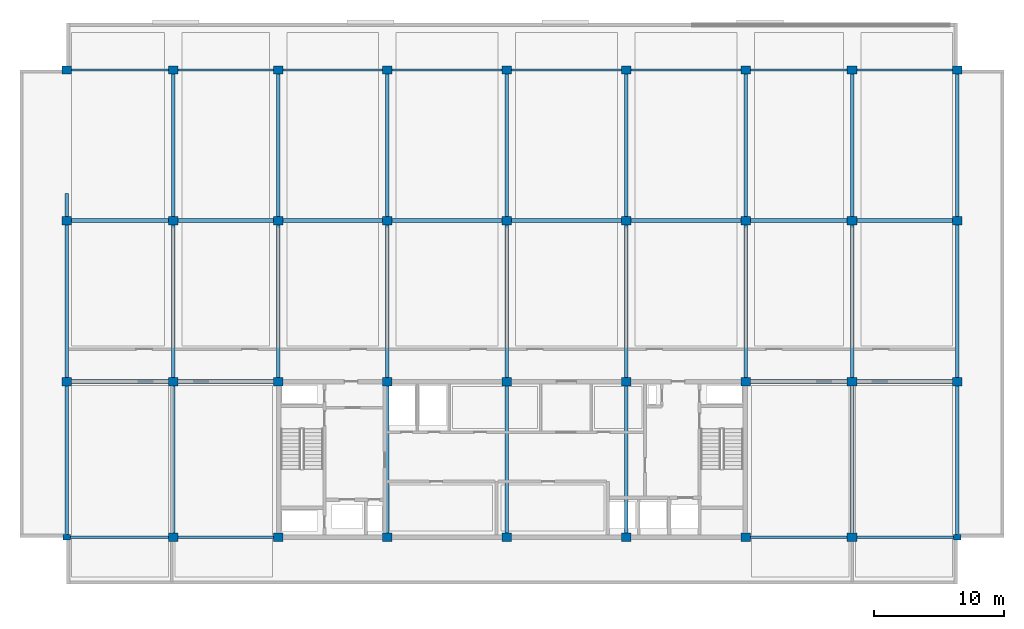
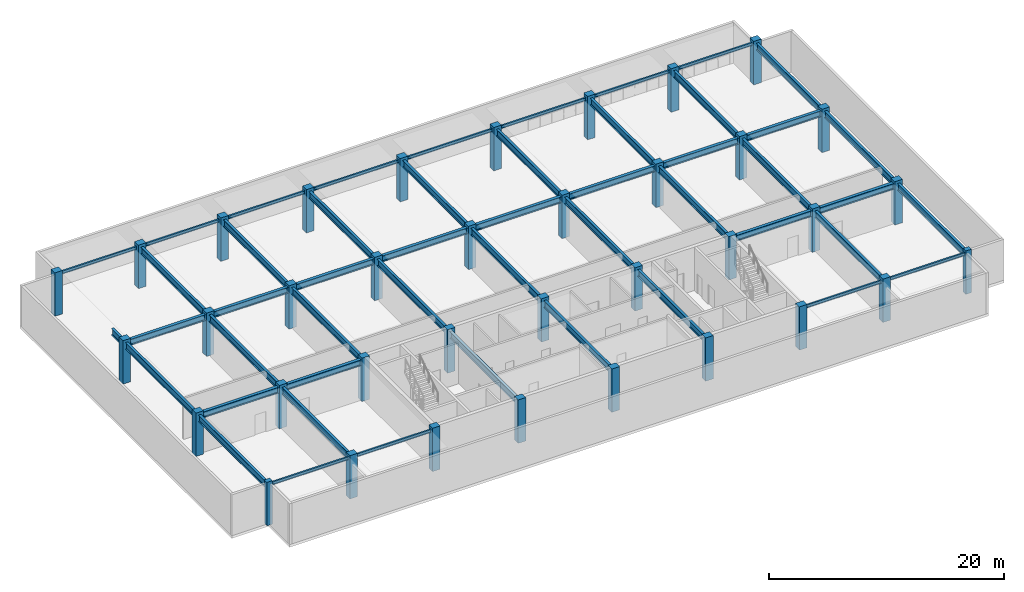
# One storey, part 1 of 9: 49 beams, 36 columns.
"""IFC4 building model written with IfcOpenShell, lengths in metres."""

from ifc_helpers import new_model, si_unit, direction, frame, origin, origin_2d, place, context, subcontext, project, spatial, rectangle, i_section, extrude, material, material_profile, profile_set, type_object, element, save


model = new_model("IFC4")

# Units and contexts
model_context = context("Model", 3, precision=1e-05, world=origin(), true_north=direction((0.0, 1.0)))
body_context = subcontext(model_context, "Body", "Model", "MODEL_VIEW")
ifc_project = project(units=[si_unit("LENGTHUNIT", "METRE"), si_unit("AREAUNIT", "SQUARE_METRE"), si_unit("VOLUMEUNIT", "CUBIC_METRE"), si_unit("PLANEANGLEUNIT", "RADIAN"), si_unit("MASSUNIT", "GRAM", prefix="KILO")], contexts=[model_context])

# Site, building, storey
site_placement = place(None, origin())
site = spatial("IfcSite", under=ifc_project, at=site_placement, CompositionType="ELEMENT")
building_placement = place(site_placement, origin())
building = spatial("IfcBuilding", under=site, at=building_placement, Name="Korimba Cascade Residences", CompositionType="ELEMENT")
storey_placement = place(building_placement, frame((0.0, 0.0, 259.699951171875)))
storey = spatial("IfcBuildingStorey", under=building, at=storey_placement, Name="L75", CompositionType="ELEMENT", Elevation=259.699951171875)

# Columns
ifc_material_1 = material(Name="Concrete C65/80", Category="concrete")
ifc_material_profile_1 = material_profile(ifc_material_1, rectangle(XDim=0.550048828125, YDim=0.449951171875, at=origin_2d()), Name="Concrete C65/80")
ifc_profile_set_1 = profile_set([ifc_material_profile_1], Name="Concrete C65/80")
column_type_1 = type_object("IfcColumnType", Name="COL-PIL-550", PredefinedType="PILASTER", material=ifc_profile_set_1)
for number, where, z_axis, x_axis, name in (
    (1, (59.800048828125, 55.199951171875, 0.0), (0.0, 0.0, 1.0), (1.0, 0.0, 0.0), "L75 Tower 1 Column 1.1"),
    (2, (128.39990234375, 55.199951171875, 0.0), (0.0, 0.0, 1.0), (1.0, 0.0, 0.0), "L75 Tower 1 Column 9.1"),
):
    element("IfcColumn", number, at=place(storey_placement, frame(where, z_axis=z_axis, x_axis=x_axis)), inside=storey, type_object=column_type_1, Name=name, PredefinedType="PILASTER", context=body_context, shape_type="SweptSolid", body=[
        extrude(rectangle(XDim=0.550048828125, YDim=0.449951171875, at=origin_2d()), origin(), (0.0, 0.0, 1.0), 4.5),
    ])
ifc_material_2 = material(Name="Concrete C50/60", Category="concrete")
ifc_material_profile_2 = material_profile(ifc_material_2, rectangle(XDim=0.75, YDim=0.64990234375, at=origin_2d()), Name="Concrete C50/60")
ifc_profile_set_2 = profile_set([ifc_material_profile_2], Name="Concrete C50/60")
column_type_2 = type_object("IfcColumnType", Name="COL-RC-750", PredefinedType="COLUMN", material=ifc_profile_set_2)
for number, where, z_axis, x_axis, name in (
    (3, (59.800048828125, 67.199951171875, 0.0), (0.0, 0.0, 1.0), (1.0, 0.0, 0.0), "L75 Tower 1 Column 1.2"),
    (4, (59.800048828125, 79.60009765625, 0.0), (0.0, 0.0, 1.0), (1.0, 0.0, 0.0), "L75 Tower 1 Column 1.3"),
    (5, (59.800048828125, 91.199951171875, 0.0), (0.0, 0.0, 1.0), (1.0, 0.0, 0.0), "L75 Tower 1 Column 1.4"),
    (6, (68.0, 55.199951171875, 0.0), (0.0, 0.0, 1.0), (1.0, 0.0, 0.0), "L75 Tower 1 Column 2.1"),
    (7, (68.0, 67.199951171875, 0.0), (0.0, 0.0, 1.0), (1.0, 0.0, 0.0), "L75 Tower 1 Column 2.2"),
    (8, (68.0, 79.60009765625, 0.0), (0.0, 0.0, 1.0), (1.0, 0.0, 0.0), "L75 Tower 1 Column 2.3"),
    (9, (68.0, 91.199951171875, 0.0), (0.0, 0.0, 1.0), (1.0, 0.0, 0.0), "L75 Tower 1 Column 2.4"),
    (10, (76.10009765625, 55.199951171875, 0.0), (0.0, 0.0, 1.0), (1.0, 0.0, 0.0), "L75 Tower 1 Column 3.1"),
    (11, (76.10009765625, 67.199951171875, 0.0), (0.0, 0.0, 1.0), (1.0, 0.0, 0.0), "L75 Tower 1 Column 3.2"),
    (12, (76.10009765625, 79.60009765625, 0.0), (0.0, 0.0, 1.0), (1.0, 0.0, 0.0), "L75 Tower 1 Column 3.3"),
    (13, (76.10009765625, 91.199951171875, 0.0), (0.0, 0.0, 1.0), (1.0, 0.0, 0.0), "L75 Tower 1 Column 3.4"),
    (14, (84.5, 55.199951171875, 0.0), (0.0, 0.0, 1.0), (1.0, 0.0, 0.0), "L75 Tower 1 Column 4.1"),
    (15, (84.5, 67.199951171875, 0.0), (0.0, 0.0, 1.0), (1.0, 0.0, 0.0), "L75 Tower 1 Column 4.2"),
    (16, (84.5, 79.60009765625, 0.0), (0.0, 0.0, 1.0), (1.0, 0.0, 0.0), "L75 Tower 1 Column 4.3"),
    (17, (84.5, 91.199951171875, 0.0), (0.0, 0.0, 1.0), (1.0, 0.0, 0.0), "L75 Tower 1 Column 4.4"),
    (18, (93.699951171875, 55.199951171875, 0.0), (0.0, 0.0, 1.0), (1.0, 0.0, 0.0), "L75 Tower 1 Column 5.1"),
    (19, (93.699951171875, 67.199951171875, 0.0), (0.0, 0.0, 1.0), (1.0, 0.0, 0.0), "L75 Tower 1 Column 5.2"),
    (20, (93.699951171875, 79.60009765625, 0.0), (0.0, 0.0, 1.0), (1.0, 0.0, 0.0), "L75 Tower 1 Column 5.3"),
    (21, (93.699951171875, 91.199951171875, 0.0), (0.0, 0.0, 1.0), (1.0, 0.0, 0.0), "L75 Tower 1 Column 5.4"),
    (22, (102.89990234375, 55.199951171875, 0.0), (0.0, 0.0, 1.0), (1.0, 0.0, 0.0), "L75 Tower 1 Column 6.1"),
    (23, (102.89990234375, 67.199951171875, 0.0), (0.0, 0.0, 1.0), (1.0, 0.0, 0.0), "L75 Tower 1 Column 6.2"),
    (24, (102.89990234375, 79.60009765625, 0.0), (0.0, 0.0, 1.0), (1.0, 0.0, 0.0), "L75 Tower 1 Column 6.3"),
    (25, (102.89990234375, 91.199951171875, 0.0), (0.0, 0.0, 1.0), (1.0, 0.0, 0.0), "L75 Tower 1 Column 6.4"),
    (26, (112.10009765625, 55.199951171875, 0.0), (0.0, 0.0, 1.0), (1.0, 0.0, 0.0), "L75 Tower 1 Column 7.1"),
    (27, (112.10009765625, 67.199951171875, 0.0), (0.0, 0.0, 1.0), (1.0, 0.0, 0.0), "L75 Tower 1 Column 7.2"),
    (28, (112.10009765625, 79.60009765625, 0.0), (0.0, 0.0, 1.0), (1.0, 0.0, 0.0), "L75 Tower 1 Column 7.3"),
    (29, (112.10009765625, 91.199951171875, 0.0), (0.0, 0.0, 1.0), (1.0, 0.0, 0.0), "L75 Tower 1 Column 7.4"),
    (30, (120.300048828125, 55.199951171875, 0.0), (0.0, 0.0, 1.0), (1.0, 0.0, 0.0), "L75 Tower 1 Column 8.1"),
    (31, (120.300048828125, 67.199951171875, 0.0), (0.0, 0.0, 1.0), (1.0, 0.0, 0.0), "L75 Tower 1 Column 8.2"),
    (32, (120.300048828125, 79.60009765625, 0.0), (0.0, 0.0, 1.0), (1.0, 0.0, 0.0), "L75 Tower 1 Column 8.3"),
    (33, (120.300048828125, 91.199951171875, 0.0), (0.0, 0.0, 1.0), (1.0, 0.0, 0.0), "L75 Tower 1 Column 8.4"),
    (34, (128.39990234375, 67.199951171875, 0.0), (0.0, 0.0, 1.0), (1.0, 0.0, 0.0), "L75 Tower 1 Column 9.2"),
    (35, (128.39990234375, 79.60009765625, 0.0), (0.0, 0.0, 1.0), (1.0, 0.0, 0.0), "L75 Tower 1 Column 9.3"),
    (36, (128.39990234375, 91.199951171875, 0.0), (0.0, 0.0, 1.0), (1.0, 0.0, 0.0), "L75 Tower 1 Column 9.4"),
):
    element("IfcColumn", number, at=place(storey_placement, frame(where, z_axis=z_axis, x_axis=x_axis)), inside=storey, type_object=column_type_2, Name=name, PredefinedType="COLUMN", context=body_context, shape_type="SweptSolid", body=[
        extrude(rectangle(XDim=0.75, YDim=0.64990234375, at=origin_2d()), origin(), (0.0, 0.0, 1.0), 4.5),
    ])

# Beams
ifc_material_3 = material(Name="Steel S355", Category="steel")
ifc_material_profile_3 = material_profile(ifc_material_3, i_section(OverallWidth=0.165771484375, OverallDepth=0.306640625, WebThickness=0.006591796875, FlangeThickness=0.01171875, FilletRadius=0.0087890625, at=origin_2d()), Name="Steel S355")
ifc_profile_set_3 = profile_set([ifc_material_profile_3], Name="Steel S355")
beam_type_1 = type_object("IfcBeamType", Name="BM-STL-UB305", PredefinedType="SPANDREL", material=ifc_profile_set_3)
beam_1_placement = place(storey_placement, frame((60.074951171875, 55.199951171875, 4.07666015625), z_axis=(1.0, 0.0, 0.0), x_axis=(0.0, 1.0, 0.0)))
element("IfcBeam", 37, at=beam_1_placement, inside=storey, type_object=beam_type_1, Name="L75 T1 E-W Girder Y1 Bay 1", PredefinedType="SPANDREL", context=body_context, shape_type="SweptSolid", body=[
    extrude(i_section(OverallWidth=0.165771484375, OverallDepth=0.306640625, WebThickness=0.006591796875, FlangeThickness=0.01171875, FilletRadius=0.0087890625, at=origin_2d()), origin(), (0.0, 0.0, 1.0), 7.550048828125),
])
beam_2_placement = place(storey_placement, frame((68.375, 55.199951171875, 4.07666015625), z_axis=(1.0, 0.0, 0.0), x_axis=(0.0, 1.0, 0.0)))
element("IfcBeam", 38, at=beam_2_placement, inside=storey, type_object=beam_type_1, Name="L75 T1 E-W Girder Y1 Bay 2", PredefinedType="SPANDREL", context=body_context, shape_type="SweptSolid", body=[
    extrude(i_section(OverallWidth=0.165771484375, OverallDepth=0.306640625, WebThickness=0.006591796875, FlangeThickness=0.01171875, FilletRadius=0.0087890625, at=origin_2d()), origin(), (0.0, 0.0, 1.0), 7.35009765625),
])
for number, where, z_axis, x_axis, name in (
    (39, (112.47509765625, 55.199951171875, 4.07666015625), (1.0, 0.0, 0.0), (0.0, 1.0, 0.0), "L75 T1 E-W Girder Y1 Bay 7"),
    (40, (120.675048828125, 55.199951171875, 4.07666015625), (1.0, 0.0, 0.0), (0.0, 1.0, 0.0), "L75 T1 E-W Girder Y1 Bay 8"),
    (41, (60.175048828125, 91.199951171875, 4.07666015625), (1.0, 0.0, 0.0), (0.0, 1.0, 0.0), "L75 T1 E-W Girder Y4 Bay 1"),
):
    element("IfcBeam", number, at=place(storey_placement, frame(where, z_axis=z_axis, x_axis=x_axis)), inside=storey, type_object=beam_type_1, Name=name, PredefinedType="SPANDREL", context=body_context, shape_type="SweptSolid", body=[
        extrude(i_section(OverallWidth=0.165771484375, OverallDepth=0.306640625, WebThickness=0.006591796875, FlangeThickness=0.01171875, FilletRadius=0.0087890625, at=origin_2d()), origin(), (0.0, 0.0, 1.0), 7.449951171875),
    ])
beam_3_placement = place(storey_placement, frame((68.375, 91.199951171875, 4.07666015625), z_axis=(1.0, 0.0, 0.0), x_axis=(0.0, 1.0, 0.0)))
element("IfcBeam", 42, at=beam_3_placement, inside=storey, type_object=beam_type_1, Name="L75 T1 E-W Girder Y4 Bay 2", PredefinedType="SPANDREL", context=body_context, shape_type="SweptSolid", body=[
    extrude(i_section(OverallWidth=0.165771484375, OverallDepth=0.306640625, WebThickness=0.006591796875, FlangeThickness=0.01171875, FilletRadius=0.0087890625, at=origin_2d()), origin(), (0.0, 0.0, 1.0), 7.35009765625),
])
beam_4_placement = place(storey_placement, frame((76.47509765625, 91.199951171875, 4.07666015625), z_axis=(1.0, 0.0, 0.0), x_axis=(0.0, 1.0, 0.0)))
element("IfcBeam", 43, at=beam_4_placement, inside=storey, type_object=beam_type_1, Name="L75 T1 E-W Girder Y4 Bay 3", PredefinedType="SPANDREL", context=body_context, shape_type="SweptSolid", body=[
    extrude(i_section(OverallWidth=0.165771484375, OverallDepth=0.306640625, WebThickness=0.006591796875, FlangeThickness=0.01171875, FilletRadius=0.0087890625, at=origin_2d()), origin(), (0.0, 0.0, 1.0), 7.64990234375),
])
for number, where, z_axis, x_axis, name in (
    (44, (84.875, 91.199951171875, 4.07666015625), (1.0, 0.0, 0.0), (0.0, 1.0, 0.0), "L75 T1 E-W Girder Y4 Bay 4"),
    (45, (94.074951171875, 91.199951171875, 4.07666015625), (1.0, 0.0, 0.0), (0.0, 1.0, 0.0), "L75 T1 E-W Girder Y4 Bay 5"),
):
    element("IfcBeam", number, at=place(storey_placement, frame(where, z_axis=z_axis, x_axis=x_axis)), inside=storey, type_object=beam_type_1, Name=name, PredefinedType="SPANDREL", context=body_context, shape_type="SweptSolid", body=[
        extrude(i_section(OverallWidth=0.165771484375, OverallDepth=0.306640625, WebThickness=0.006591796875, FlangeThickness=0.01171875, FilletRadius=0.0087890625, at=origin_2d()), origin(), (0.0, 0.0, 1.0), 8.449951171875),
    ])
beam_5_placement = place(storey_placement, frame((103.27490234375, 91.199951171875, 4.07666015625), z_axis=(1.0, 0.0, 0.0), x_axis=(0.0, 1.0, 0.0)))
element("IfcBeam", 46, at=beam_5_placement, inside=storey, type_object=beam_type_1, Name="L75 T1 E-W Girder Y4 Bay 6", PredefinedType="SPANDREL", context=body_context, shape_type="SweptSolid", body=[
    extrude(i_section(OverallWidth=0.165771484375, OverallDepth=0.306640625, WebThickness=0.006591796875, FlangeThickness=0.01171875, FilletRadius=0.0087890625, at=origin_2d()), origin(), (0.0, 0.0, 1.0), 8.4501953125),
])
beam_6_placement = place(storey_placement, frame((112.47509765625, 91.199951171875, 4.07666015625), z_axis=(1.0, 0.0, 0.0), x_axis=(0.0, 1.0, 0.0)))
element("IfcBeam", 47, at=beam_6_placement, inside=storey, type_object=beam_type_1, Name="L75 T1 E-W Girder Y4 Bay 7", PredefinedType="SPANDREL", context=body_context, shape_type="SweptSolid", body=[
    extrude(i_section(OverallWidth=0.165771484375, OverallDepth=0.306640625, WebThickness=0.006591796875, FlangeThickness=0.01171875, FilletRadius=0.0087890625, at=origin_2d()), origin(), (0.0, 0.0, 1.0), 7.449951171875),
])
beam_7_placement = place(storey_placement, frame((120.675048828125, 91.199951171875, 4.07666015625), z_axis=(1.0, 0.0, 0.0), x_axis=(0.0, 1.0, 0.0)))
element("IfcBeam", 48, at=beam_7_placement, inside=storey, type_object=beam_type_1, Name="L75 T1 E-W Girder Y4 Bay 8", PredefinedType="SPANDREL", context=body_context, shape_type="SweptSolid", body=[
    extrude(i_section(OverallWidth=0.165771484375, OverallDepth=0.306640625, WebThickness=0.006591796875, FlangeThickness=0.01171875, FilletRadius=0.0087890625, at=origin_2d()), origin(), (0.0, 0.0, 1.0), 7.349853515625),
])
ifc_material_profile_4 = material_profile(ifc_material_3, i_section(OverallWidth=0.30712890625, OverallDepth=0.6201171875, WebThickness=0.01416015625, FlangeThickness=0.023681640625, FilletRadius=0.0166015625, at=origin_2d()), Name="Steel S355")
ifc_profile_set_4 = profile_set([ifc_material_profile_4], Name="Steel S355")
beam_type_2 = type_object("IfcBeamType", Name="BM-STL-UB610A", PredefinedType="BEAM", material=ifc_profile_set_4)
beam_8_placement = place(storey_placement, frame((60.175048828125, 67.199951171875, 3.919921875), z_axis=(1.0, 0.0, 0.0), x_axis=(0.0, 1.0, 0.0)))
element("IfcBeam", 49, at=beam_8_placement, inside=storey, type_object=beam_type_2, Name="L75 T1 E-W Girder Y2 Bay 1", PredefinedType="BEAM", context=body_context, shape_type="SweptSolid", body=[
    extrude(i_section(OverallWidth=0.30712890625, OverallDepth=0.6201171875, WebThickness=0.01416015625, FlangeThickness=0.023681640625, FilletRadius=0.0166015625, at=origin_2d()), origin(), (0.0, 0.0, 1.0), 7.449951171875),
])
beam_9_placement = place(storey_placement, frame((68.375, 67.199951171875, 3.919921875), z_axis=(1.0, 0.0, 0.0), x_axis=(0.0, 1.0, 0.0)))
element("IfcBeam", 50, at=beam_9_placement, inside=storey, type_object=beam_type_2, Name="L75 T1 E-W Girder Y2 Bay 2", PredefinedType="BEAM", context=body_context, shape_type="SweptSolid", body=[
    extrude(i_section(OverallWidth=0.30712890625, OverallDepth=0.6201171875, WebThickness=0.01416015625, FlangeThickness=0.023681640625, FilletRadius=0.0166015625, at=origin_2d()), origin(), (0.0, 0.0, 1.0), 7.35009765625),
])
beam_10_placement = place(storey_placement, frame((112.47509765625, 67.199951171875, 3.919921875), z_axis=(1.0, 0.0, 0.0), x_axis=(0.0, 1.0, 0.0)))
element("IfcBeam", 51, at=beam_10_placement, inside=storey, type_object=beam_type_2, Name="L75 T1 E-W Girder Y2 Bay 7", PredefinedType="BEAM", context=body_context, shape_type="SweptSolid", body=[
    extrude(i_section(OverallWidth=0.30712890625, OverallDepth=0.6201171875, WebThickness=0.01416015625, FlangeThickness=0.023681640625, FilletRadius=0.0166015625, at=origin_2d()), origin(), (0.0, 0.0, 1.0), 7.449951171875),
])
beam_11_placement = place(storey_placement, frame((120.675048828125, 67.199951171875, 3.919921875), z_axis=(1.0, 0.0, 0.0), x_axis=(0.0, 1.0, 0.0)))
element("IfcBeam", 52, at=beam_11_placement, inside=storey, type_object=beam_type_2, Name="L75 T1 E-W Girder Y2 Bay 8", PredefinedType="BEAM", context=body_context, shape_type="SweptSolid", body=[
    extrude(i_section(OverallWidth=0.30712890625, OverallDepth=0.6201171875, WebThickness=0.01416015625, FlangeThickness=0.023681640625, FilletRadius=0.0166015625, at=origin_2d()), origin(), (0.0, 0.0, 1.0), 7.349853515625),
])
beam_12_placement = place(storey_placement, frame((60.175048828125, 79.60009765625, 3.919921875), z_axis=(1.0, 0.0, 0.0), x_axis=(0.0, 1.0, 0.0)))
element("IfcBeam", 53, at=beam_12_placement, inside=storey, type_object=beam_type_2, Name="L75 T1 E-W Girder Y3 Bay 1", PredefinedType="BEAM", context=body_context, shape_type="SweptSolid", body=[
    extrude(i_section(OverallWidth=0.30712890625, OverallDepth=0.6201171875, WebThickness=0.01416015625, FlangeThickness=0.023681640625, FilletRadius=0.0166015625, at=origin_2d()), origin(), (0.0, 0.0, 1.0), 7.449951171875),
])
beam_13_placement = place(storey_placement, frame((68.375, 79.60009765625, 3.919921875), z_axis=(1.0, 0.0, 0.0), x_axis=(0.0, 1.0, 0.0)))
element("IfcBeam", 54, at=beam_13_placement, inside=storey, type_object=beam_type_2, Name="L75 T1 E-W Girder Y3 Bay 2", PredefinedType="BEAM", context=body_context, shape_type="SweptSolid", body=[
    extrude(i_section(OverallWidth=0.30712890625, OverallDepth=0.6201171875, WebThickness=0.01416015625, FlangeThickness=0.023681640625, FilletRadius=0.0166015625, at=origin_2d()), origin(), (0.0, 0.0, 1.0), 7.35009765625),
])
beam_14_placement = place(storey_placement, frame((76.47509765625, 79.60009765625, 3.919921875), z_axis=(1.0, 0.0, 0.0), x_axis=(0.0, 1.0, 0.0)))
element("IfcBeam", 55, at=beam_14_placement, inside=storey, type_object=beam_type_2, Name="L75 T1 E-W Girder Y3 Bay 3", PredefinedType="BEAM", context=body_context, shape_type="SweptSolid", body=[
    extrude(i_section(OverallWidth=0.30712890625, OverallDepth=0.6201171875, WebThickness=0.01416015625, FlangeThickness=0.023681640625, FilletRadius=0.0166015625, at=origin_2d()), origin(), (0.0, 0.0, 1.0), 7.64990234375),
])
for number, where, z_axis, x_axis, name in (
    (56, (84.875, 79.60009765625, 3.919921875), (1.0, 0.0, 0.0), (0.0, 1.0, 0.0), "L75 T1 E-W Girder Y3 Bay 4"),
    (57, (94.074951171875, 79.60009765625, 3.919921875), (1.0, 0.0, 0.0), (0.0, 1.0, 0.0), "L75 T1 E-W Girder Y3 Bay 5"),
):
    element("IfcBeam", number, at=place(storey_placement, frame(where, z_axis=z_axis, x_axis=x_axis)), inside=storey, type_object=beam_type_2, Name=name, PredefinedType="BEAM", context=body_context, shape_type="SweptSolid", body=[
        extrude(i_section(OverallWidth=0.30712890625, OverallDepth=0.6201171875, WebThickness=0.01416015625, FlangeThickness=0.023681640625, FilletRadius=0.0166015625, at=origin_2d()), origin(), (0.0, 0.0, 1.0), 8.449951171875),
    ])
beam_15_placement = place(storey_placement, frame((103.27490234375, 79.60009765625, 3.919921875), z_axis=(1.0, 0.0, 0.0), x_axis=(0.0, 1.0, 0.0)))
element("IfcBeam", 58, at=beam_15_placement, inside=storey, type_object=beam_type_2, Name="L75 T1 E-W Girder Y3 Bay 6", PredefinedType="BEAM", context=body_context, shape_type="SweptSolid", body=[
    extrude(i_section(OverallWidth=0.30712890625, OverallDepth=0.6201171875, WebThickness=0.01416015625, FlangeThickness=0.023681640625, FilletRadius=0.0166015625, at=origin_2d()), origin(), (0.0, 0.0, 1.0), 8.4501953125),
])
beam_16_placement = place(storey_placement, frame((112.47509765625, 79.60009765625, 3.919921875), z_axis=(1.0, 0.0, 0.0), x_axis=(0.0, 1.0, 0.0)))
element("IfcBeam", 59, at=beam_16_placement, inside=storey, type_object=beam_type_2, Name="L75 T1 E-W Girder Y3 Bay 7", PredefinedType="BEAM", context=body_context, shape_type="SweptSolid", body=[
    extrude(i_section(OverallWidth=0.30712890625, OverallDepth=0.6201171875, WebThickness=0.01416015625, FlangeThickness=0.023681640625, FilletRadius=0.0166015625, at=origin_2d()), origin(), (0.0, 0.0, 1.0), 7.449951171875),
])
beam_17_placement = place(storey_placement, frame((120.675048828125, 79.60009765625, 3.919921875), z_axis=(1.0, 0.0, 0.0), x_axis=(0.0, 1.0, 0.0)))
element("IfcBeam", 60, at=beam_17_placement, inside=storey, type_object=beam_type_2, Name="L75 T1 E-W Girder Y3 Bay 8", PredefinedType="BEAM", context=body_context, shape_type="SweptSolid", body=[
    extrude(i_section(OverallWidth=0.30712890625, OverallDepth=0.6201171875, WebThickness=0.01416015625, FlangeThickness=0.023681640625, FilletRadius=0.0166015625, at=origin_2d()), origin(), (0.0, 0.0, 1.0), 7.349853515625),
])
ifc_material_profile_5 = material_profile(ifc_material_3, i_section(OverallWidth=0.255859375, OverallDepth=0.69287109375, WebThickness=0.014404296875, FlangeThickness=0.023681640625, FilletRadius=0.01513671875, at=origin_2d()), Name="Steel S355")
ifc_profile_set_5 = profile_set([ifc_material_profile_5], Name="Steel S355")
beam_type_3 = type_object("IfcBeamType", Name="BM-STL-UB686", PredefinedType="BEAM", material=ifc_profile_set_5)
beam_18_placement = place(storey_placement, frame((59.800048828125, 55.425048828125, 3.883544921875), z_axis=(0.0, 1.0, 0.0), x_axis=(-1.0, 0.0, 0.0)))
element("IfcBeam", 61, at=beam_18_placement, inside=storey, type_object=beam_type_3, Name="L75 T1 N-S Girder X1 Seg 1", PredefinedType="BEAM", context=body_context, shape_type="SweptSolid", body=[
    extrude(i_section(OverallWidth=0.255859375, OverallDepth=0.69287109375, WebThickness=0.014404296875, FlangeThickness=0.023681640625, FilletRadius=0.01513671875, at=origin_2d()), origin(), (0.0, 0.0, 1.0), 11.449951171875),
])
beam_19_placement = place(storey_placement, frame((59.800048828125, 67.52490234375, 3.883544921875), z_axis=(0.0, 1.0, 0.0), x_axis=(-1.0, 0.0, 0.0)))
element("IfcBeam", 62, at=beam_19_placement, inside=storey, type_object=beam_type_3, Name="L75 T1 N-S Girder X1 Seg 2", PredefinedType="BEAM", context=body_context, shape_type="SweptSolid", body=[
    extrude(i_section(OverallWidth=0.255859375, OverallDepth=0.69287109375, WebThickness=0.014404296875, FlangeThickness=0.023681640625, FilletRadius=0.01513671875, at=origin_2d()), origin(), (0.0, 0.0, 1.0), 11.75),
])
beam_20_placement = place(storey_placement, frame((59.800048828125, 79.925048828125, 3.883544921875), z_axis=(0.0, 1.0, 0.0), x_axis=(-1.0, 0.0, 0.0)))
element("IfcBeam", 63, at=beam_20_placement, inside=storey, type_object=beam_type_3, Name="L75 T1 N-S Girder X1 Seg 3", PredefinedType="BEAM", context=body_context, shape_type="SweptSolid", body=[
    extrude(i_section(OverallWidth=0.255859375, OverallDepth=0.69287109375, WebThickness=0.014404296875, FlangeThickness=0.023681640625, FilletRadius=0.01513671875, at=origin_2d()), origin(), (0.0, 0.0, 1.0), 1.77490234375),
])
beam_21_placement = place(storey_placement, frame((68.0, 55.52490234375, 3.883544921875), z_axis=(0.0, 1.0, 0.0), x_axis=(-1.0, 0.0, 0.0)))
element("IfcBeam", 64, at=beam_21_placement, inside=storey, type_object=beam_type_3, Name="L75 T1 N-S Girder X2 Seg 1", PredefinedType="BEAM", context=body_context, shape_type="SweptSolid", body=[
    extrude(i_section(OverallWidth=0.255859375, OverallDepth=0.69287109375, WebThickness=0.014404296875, FlangeThickness=0.023681640625, FilletRadius=0.01513671875, at=origin_2d()), origin(), (0.0, 0.0, 1.0), 11.35009765625),
])
beam_22_placement = place(storey_placement, frame((68.0, 67.52490234375, 3.883544921875), z_axis=(0.0, 1.0, 0.0), x_axis=(-1.0, 0.0, 0.0)))
element("IfcBeam", 65, at=beam_22_placement, inside=storey, type_object=beam_type_3, Name="L75 T1 N-S Girder X2 Seg 2", PredefinedType="BEAM", context=body_context, shape_type="SweptSolid", body=[
    extrude(i_section(OverallWidth=0.255859375, OverallDepth=0.69287109375, WebThickness=0.014404296875, FlangeThickness=0.023681640625, FilletRadius=0.01513671875, at=origin_2d()), origin(), (0.0, 0.0, 1.0), 11.75),
])
beam_23_placement = place(storey_placement, frame((68.0, 79.925048828125, 3.883544921875), z_axis=(0.0, 1.0, 0.0), x_axis=(-1.0, 0.0, 0.0)))
element("IfcBeam", 66, at=beam_23_placement, inside=storey, type_object=beam_type_3, Name="L75 T1 N-S Girder X2 Seg 3", PredefinedType="BEAM", context=body_context, shape_type="SweptSolid", body=[
    extrude(i_section(OverallWidth=0.255859375, OverallDepth=0.69287109375, WebThickness=0.014404296875, FlangeThickness=0.023681640625, FilletRadius=0.01513671875, at=origin_2d()), origin(), (0.0, 0.0, 1.0), 10.949951171875),
])
beam_24_placement = place(storey_placement, frame((76.10009765625, 67.52490234375, 3.883544921875), z_axis=(0.0, 1.0, 0.0), x_axis=(-1.0, 0.0, 0.0)))
element("IfcBeam", 67, at=beam_24_placement, inside=storey, type_object=beam_type_3, Name="L75 T1 N-S Girder X3 Seg 2", PredefinedType="BEAM", context=body_context, shape_type="SweptSolid", body=[
    extrude(i_section(OverallWidth=0.255859375, OverallDepth=0.69287109375, WebThickness=0.014404296875, FlangeThickness=0.023681640625, FilletRadius=0.01513671875, at=origin_2d()), origin(), (0.0, 0.0, 1.0), 11.75),
])
beam_25_placement = place(storey_placement, frame((76.10009765625, 79.925048828125, 3.883544921875), z_axis=(0.0, 1.0, 0.0), x_axis=(-1.0, 0.0, 0.0)))
element("IfcBeam", 68, at=beam_25_placement, inside=storey, type_object=beam_type_3, Name="L75 T1 N-S Girder X3 Seg 3", PredefinedType="BEAM", context=body_context, shape_type="SweptSolid", body=[
    extrude(i_section(OverallWidth=0.255859375, OverallDepth=0.69287109375, WebThickness=0.014404296875, FlangeThickness=0.023681640625, FilletRadius=0.01513671875, at=origin_2d()), origin(), (0.0, 0.0, 1.0), 10.949951171875),
])
beam_26_placement = place(storey_placement, frame((84.5, 55.52490234375, 3.883544921875), z_axis=(0.0, 1.0, 0.0), x_axis=(-1.0, 0.0, 0.0)))
element("IfcBeam", 69, at=beam_26_placement, inside=storey, type_object=beam_type_3, Name="L75 T1 N-S Girder X4 Seg 1", PredefinedType="BEAM", context=body_context, shape_type="SweptSolid", body=[
    extrude(i_section(OverallWidth=0.255859375, OverallDepth=0.69287109375, WebThickness=0.014404296875, FlangeThickness=0.023681640625, FilletRadius=0.01513671875, at=origin_2d()), origin(), (0.0, 0.0, 1.0), 11.35009765625),
])
beam_27_placement = place(storey_placement, frame((84.5, 67.52490234375, 3.883544921875), z_axis=(0.0, 1.0, 0.0), x_axis=(-1.0, 0.0, 0.0)))
element("IfcBeam", 70, at=beam_27_placement, inside=storey, type_object=beam_type_3, Name="L75 T1 N-S Girder X4 Seg 2", PredefinedType="BEAM", context=body_context, shape_type="SweptSolid", body=[
    extrude(i_section(OverallWidth=0.255859375, OverallDepth=0.69287109375, WebThickness=0.014404296875, FlangeThickness=0.023681640625, FilletRadius=0.01513671875, at=origin_2d()), origin(), (0.0, 0.0, 1.0), 11.75),
])
beam_28_placement = place(storey_placement, frame((84.5, 79.925048828125, 3.883544921875), z_axis=(0.0, 1.0, 0.0), x_axis=(-1.0, 0.0, 0.0)))
element("IfcBeam", 71, at=beam_28_placement, inside=storey, type_object=beam_type_3, Name="L75 T1 N-S Girder X4 Seg 3", PredefinedType="BEAM", context=body_context, shape_type="SweptSolid", body=[
    extrude(i_section(OverallWidth=0.255859375, OverallDepth=0.69287109375, WebThickness=0.014404296875, FlangeThickness=0.023681640625, FilletRadius=0.01513671875, at=origin_2d()), origin(), (0.0, 0.0, 1.0), 10.949951171875),
])
beam_29_placement = place(storey_placement, frame((93.699951171875, 55.52490234375, 3.883544921875), z_axis=(0.0, 1.0, 0.0), x_axis=(-1.0, 0.0, 0.0)))
element("IfcBeam", 72, at=beam_29_placement, inside=storey, type_object=beam_type_3, Name="L75 T1 N-S Girder X5 Seg 1", PredefinedType="BEAM", context=body_context, shape_type="SweptSolid", body=[
    extrude(i_section(OverallWidth=0.255859375, OverallDepth=0.69287109375, WebThickness=0.014404296875, FlangeThickness=0.023681640625, FilletRadius=0.01513671875, at=origin_2d()), origin(), (0.0, 0.0, 1.0), 11.35009765625),
])
beam_30_placement = place(storey_placement, frame((93.699951171875, 67.52490234375, 3.883544921875), z_axis=(0.0, 1.0, 0.0), x_axis=(-1.0, 0.0, 0.0)))
element("IfcBeam", 73, at=beam_30_placement, inside=storey, type_object=beam_type_3, Name="L75 T1 N-S Girder X5 Seg 2", PredefinedType="BEAM", context=body_context, shape_type="SweptSolid", body=[
    extrude(i_section(OverallWidth=0.255859375, OverallDepth=0.69287109375, WebThickness=0.014404296875, FlangeThickness=0.023681640625, FilletRadius=0.01513671875, at=origin_2d()), origin(), (0.0, 0.0, 1.0), 11.75),
])
beam_31_placement = place(storey_placement, frame((93.699951171875, 79.925048828125, 3.883544921875), z_axis=(0.0, 1.0, 0.0), x_axis=(-1.0, 0.0, 0.0)))
element("IfcBeam", 74, at=beam_31_placement, inside=storey, type_object=beam_type_3, Name="L75 T1 N-S Girder X5 Seg 3", PredefinedType="BEAM", context=body_context, shape_type="SweptSolid", body=[
    extrude(i_section(OverallWidth=0.255859375, OverallDepth=0.69287109375, WebThickness=0.014404296875, FlangeThickness=0.023681640625, FilletRadius=0.01513671875, at=origin_2d()), origin(), (0.0, 0.0, 1.0), 10.949951171875),
])
beam_32_placement = place(storey_placement, frame((102.89990234375, 55.52490234375, 3.883544921875), z_axis=(0.0, 1.0, 0.0), x_axis=(-1.0, 0.0, 0.0)))
element("IfcBeam", 75, at=beam_32_placement, inside=storey, type_object=beam_type_3, Name="L75 T1 N-S Girder X6 Seg 1", PredefinedType="BEAM", context=body_context, shape_type="SweptSolid", body=[
    extrude(i_section(OverallWidth=0.255859375, OverallDepth=0.69287109375, WebThickness=0.014404296875, FlangeThickness=0.023681640625, FilletRadius=0.01513671875, at=origin_2d()), origin(), (0.0, 0.0, 1.0), 11.35009765625),
])
beam_33_placement = place(storey_placement, frame((102.89990234375, 67.52490234375, 3.883544921875), z_axis=(0.0, 1.0, 0.0), x_axis=(-1.0, 0.0, 0.0)))
element("IfcBeam", 76, at=beam_33_placement, inside=storey, type_object=beam_type_3, Name="L75 T1 N-S Girder X6 Seg 2", PredefinedType="BEAM", context=body_context, shape_type="SweptSolid", body=[
    extrude(i_section(OverallWidth=0.255859375, OverallDepth=0.69287109375, WebThickness=0.014404296875, FlangeThickness=0.023681640625, FilletRadius=0.01513671875, at=origin_2d()), origin(), (0.0, 0.0, 1.0), 11.75),
])
beam_34_placement = place(storey_placement, frame((102.89990234375, 79.925048828125, 3.883544921875), z_axis=(0.0, 1.0, 0.0), x_axis=(-1.0, 0.0, 0.0)))
element("IfcBeam", 77, at=beam_34_placement, inside=storey, type_object=beam_type_3, Name="L75 T1 N-S Girder X6 Seg 3", PredefinedType="BEAM", context=body_context, shape_type="SweptSolid", body=[
    extrude(i_section(OverallWidth=0.255859375, OverallDepth=0.69287109375, WebThickness=0.014404296875, FlangeThickness=0.023681640625, FilletRadius=0.01513671875, at=origin_2d()), origin(), (0.0, 0.0, 1.0), 10.949951171875),
])
beam_35_placement = place(storey_placement, frame((112.10009765625, 67.52490234375, 3.883544921875), z_axis=(0.0, 1.0, 0.0), x_axis=(-1.0, 0.0, 0.0)))
element("IfcBeam", 78, at=beam_35_placement, inside=storey, type_object=beam_type_3, Name="L75 T1 N-S Girder X7 Seg 2", PredefinedType="BEAM", context=body_context, shape_type="SweptSolid", body=[
    extrude(i_section(OverallWidth=0.255859375, OverallDepth=0.69287109375, WebThickness=0.014404296875, FlangeThickness=0.023681640625, FilletRadius=0.01513671875, at=origin_2d()), origin(), (0.0, 0.0, 1.0), 11.75),
])
beam_36_placement = place(storey_placement, frame((112.10009765625, 79.925048828125, 3.883544921875), z_axis=(0.0, 1.0, 0.0), x_axis=(-1.0, 0.0, 0.0)))
element("IfcBeam", 79, at=beam_36_placement, inside=storey, type_object=beam_type_3, Name="L75 T1 N-S Girder X7 Seg 3", PredefinedType="BEAM", context=body_context, shape_type="SweptSolid", body=[
    extrude(i_section(OverallWidth=0.255859375, OverallDepth=0.69287109375, WebThickness=0.014404296875, FlangeThickness=0.023681640625, FilletRadius=0.01513671875, at=origin_2d()), origin(), (0.0, 0.0, 1.0), 10.949951171875),
])
beam_37_placement = place(storey_placement, frame((120.300048828125, 55.52490234375, 3.883544921875), z_axis=(0.0, 1.0, 0.0), x_axis=(-1.0, 0.0, 0.0)))
element("IfcBeam", 80, at=beam_37_placement, inside=storey, type_object=beam_type_3, Name="L75 T1 N-S Girder X8 Seg 1", PredefinedType="BEAM", context=body_context, shape_type="SweptSolid", body=[
    extrude(i_section(OverallWidth=0.255859375, OverallDepth=0.69287109375, WebThickness=0.014404296875, FlangeThickness=0.023681640625, FilletRadius=0.01513671875, at=origin_2d()), origin(), (0.0, 0.0, 1.0), 11.35009765625),
])
beam_38_placement = place(storey_placement, frame((120.300048828125, 67.52490234375, 3.883544921875), z_axis=(0.0, 1.0, 0.0), x_axis=(-1.0, 0.0, 0.0)))
element("IfcBeam", 81, at=beam_38_placement, inside=storey, type_object=beam_type_3, Name="L75 T1 N-S Girder X8 Seg 2", PredefinedType="BEAM", context=body_context, shape_type="SweptSolid", body=[
    extrude(i_section(OverallWidth=0.255859375, OverallDepth=0.69287109375, WebThickness=0.014404296875, FlangeThickness=0.023681640625, FilletRadius=0.01513671875, at=origin_2d()), origin(), (0.0, 0.0, 1.0), 11.75),
])
beam_39_placement = place(storey_placement, frame((120.300048828125, 79.925048828125, 3.883544921875), z_axis=(0.0, 1.0, 0.0), x_axis=(-1.0, 0.0, 0.0)))
element("IfcBeam", 82, at=beam_39_placement, inside=storey, type_object=beam_type_3, Name="L75 T1 N-S Girder X8 Seg 3", PredefinedType="BEAM", context=body_context, shape_type="SweptSolid", body=[
    extrude(i_section(OverallWidth=0.255859375, OverallDepth=0.69287109375, WebThickness=0.014404296875, FlangeThickness=0.023681640625, FilletRadius=0.01513671875, at=origin_2d()), origin(), (0.0, 0.0, 1.0), 10.949951171875),
])
beam_40_placement = place(storey_placement, frame((128.39990234375, 55.425048828125, 3.883544921875), z_axis=(0.0, 1.0, 0.0), x_axis=(-1.0, 0.0, 0.0)))
element("IfcBeam", 83, at=beam_40_placement, inside=storey, type_object=beam_type_3, Name="L75 T1 N-S Girder X9 Seg 1", PredefinedType="BEAM", context=body_context, shape_type="SweptSolid", body=[
    extrude(i_section(OverallWidth=0.255859375, OverallDepth=0.69287109375, WebThickness=0.014404296875, FlangeThickness=0.023681640625, FilletRadius=0.01513671875, at=origin_2d()), origin(), (0.0, 0.0, 1.0), 11.449951171875),
])
beam_41_placement = place(storey_placement, frame((128.39990234375, 67.52490234375, 3.883544921875), z_axis=(0.0, 1.0, 0.0), x_axis=(-1.0, 0.0, 0.0)))
element("IfcBeam", 84, at=beam_41_placement, inside=storey, type_object=beam_type_3, Name="L75 T1 N-S Girder X9 Seg 2", PredefinedType="BEAM", context=body_context, shape_type="SweptSolid", body=[
    extrude(i_section(OverallWidth=0.255859375, OverallDepth=0.69287109375, WebThickness=0.014404296875, FlangeThickness=0.023681640625, FilletRadius=0.01513671875, at=origin_2d()), origin(), (0.0, 0.0, 1.0), 11.75),
])
beam_42_placement = place(storey_placement, frame((128.39990234375, 79.925048828125, 3.883544921875), z_axis=(0.0, 1.0, 0.0), x_axis=(-1.0, 0.0, 0.0)))
element("IfcBeam", 85, at=beam_42_placement, inside=storey, type_object=beam_type_3, Name="L75 T1 N-S Girder X9 Seg 3", PredefinedType="BEAM", context=body_context, shape_type="SweptSolid", body=[
    extrude(i_section(OverallWidth=0.255859375, OverallDepth=0.69287109375, WebThickness=0.014404296875, FlangeThickness=0.023681640625, FilletRadius=0.01513671875, at=origin_2d()), origin(), (0.0, 0.0, 1.0), 10.949951171875),
])

save(model, "model.ifc")
